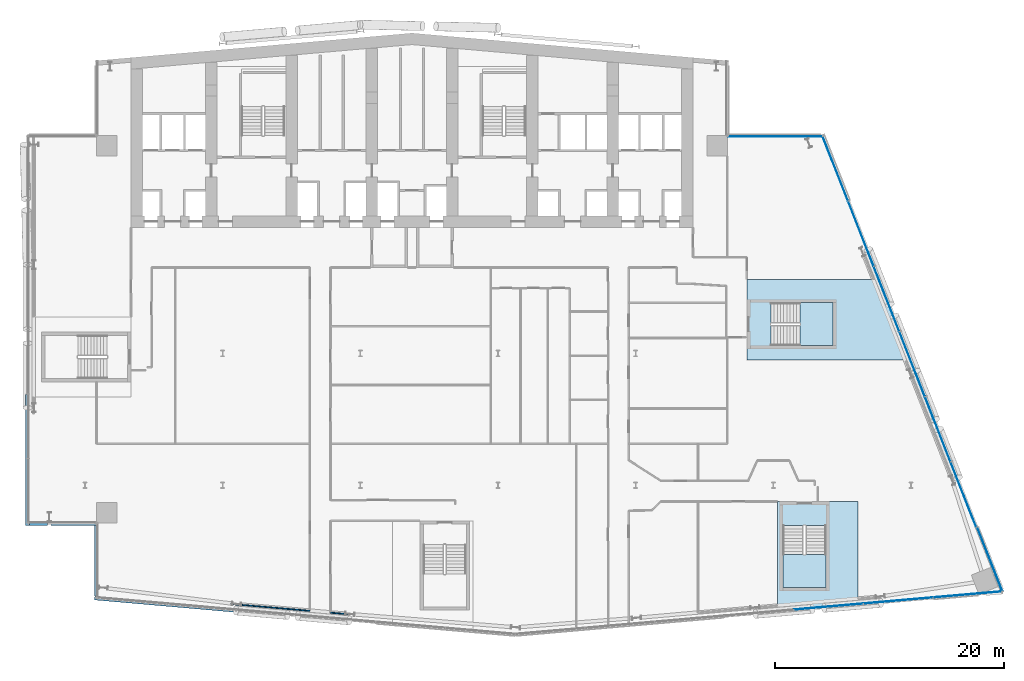
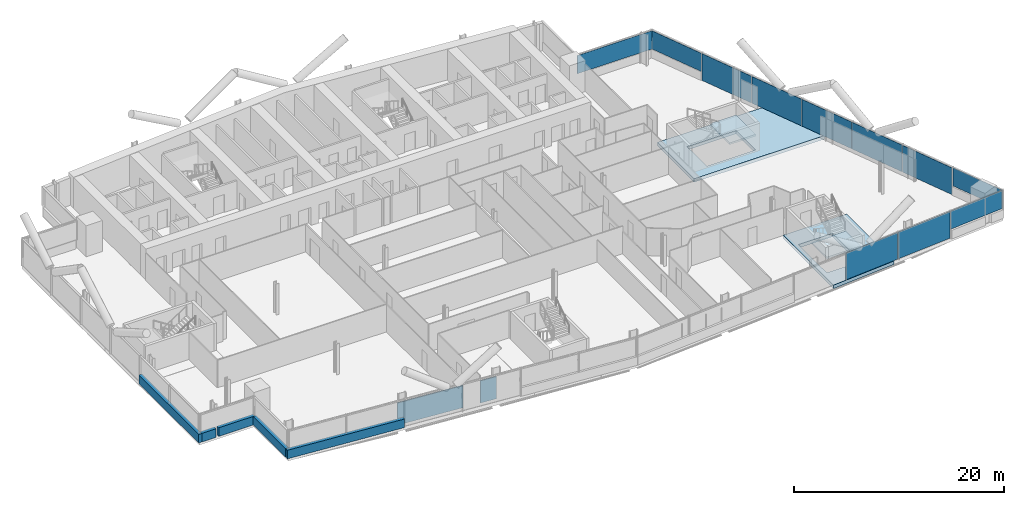
# One storey, part 13 of 27: 11 plates, 7 walls, 4 slabs, 5 elements without a shape of their own.
"""IFC4 building model written with IfcOpenShell, lengths in metres."""

from ifc_helpers import new_model, si_unit, direction, frame, frame_2d, origin, origin_2d, place, context, subcontext, project, spatial, polyline, rectangle, outline, extrude, material, layer, layer_set, type_object, element, aggregate, save


model = new_model("IFC4")

# Units and contexts
model_context = context("Model", 3, precision=1e-05, world=origin(), true_north=direction((0.0, 1.0)))
body_context = subcontext(model_context, "Body", "Model", "MODEL_VIEW")
ifc_project = project(units=[si_unit("LENGTHUNIT", "METRE"), si_unit("AREAUNIT", "SQUARE_METRE"), si_unit("VOLUMEUNIT", "CUBIC_METRE"), si_unit("PLANEANGLEUNIT", "RADIAN"), si_unit("MASSUNIT", "GRAM", prefix="KILO")], contexts=[model_context])

# Site, building, storey
site_placement = place(None, origin())
site = spatial("IfcSite", under=ifc_project, at=site_placement, CompositionType="ELEMENT")
building_placement = place(site_placement, origin())
building = spatial("IfcBuilding", under=site, at=building_placement, Name="Wharfspan Tower", CompositionType="ELEMENT")
storey_placement = place(building_placement, frame((0.0, 0.0, 118.300049)))
storey = spatial("IfcBuildingStorey", under=building, at=storey_placement, Name="L27", CompositionType="ELEMENT", Elevation=118.300049)

# Curtain wall, plate
ifc_material_1 = material(Name="Aluminium 6063-T6", Category="aluminium")
curtain_wall_type_1 = type_object("IfcCurtainWallType", Name="CURTAIN WALL FACETED FRONT", PredefinedType="NOTDEFINED", material=ifc_material_1)
curtain_wall_1_placement = place(storey_placement, origin())
curtain_wall_1 = element("IfcCurtainWall", 1, at=curtain_wall_1_placement, inside=storey, type_object=curtain_wall_type_1, Name="Curtain wall S2", PredefinedType="NOTDEFINED")
ifc_material_2 = material(Name="Glass clear low-iron double glazing", Category="glass")
ifc_layer_1 = layer(ifc_material_2, 0.040039)
ifc_layer_set_1 = layer_set([ifc_layer_1], Name="Glass clear low-iron double glazing")
plate_type_1 = type_object("IfcPlateType", Name="GLASS PANEL FACETED FRONT 40", PredefinedType="CURTAIN_PANEL", material=ifc_layer_set_1)
plate_1_placement = place(storey_placement, frame((88.944092, 1.99292, 1.0), z_axis=(0.0, 0.0, 1.0), x_axis=(0.996198, 0.087156, 0.0)))
plate_1 = element("IfcPlate", 2, at=plate_1_placement, type_object=plate_type_1, Name="Curtain wall S2 panel 7", PredefinedType="CURTAIN_PANEL", context=body_context, shape_type="SweptSolid", body=[
    extrude(rectangle(XDim=6.004639, YDim=0.040039, at=origin_2d()), origin(), (0.0, 0.0, 1.0), 2.120117),
])

# Curtain wall, plates
curtain_wall_type_2 = type_object("IfcCurtainWallType", Name="CURTAIN WALL PROW AND END", PredefinedType="NOTDEFINED", material=ifc_material_1)
curtain_wall_2_placement = place(storey_placement, origin())
curtain_wall_2 = element("IfcCurtainWall", 3, at=curtain_wall_2_placement, inside=storey, type_object=curtain_wall_type_2, Name="Curtain wall E", PredefinedType="NOTDEFINED")
ifc_layer_2 = layer(ifc_material_2, 0.040039)
ifc_layer_set_2 = layer_set([ifc_layer_2], Name="Glass clear low-iron double glazing")
plate_type_2 = type_object("IfcPlateType", Name="GLASS PANEL PROW AND END 40", PredefinedType="CURTAIN_PANEL", material=ifc_layer_set_2)
plate_2_placement = place(storey_placement, frame((90.877197, 5.056885, 1.0), z_axis=(0.0, 0.0, 1.0), x_axis=(-0.365778, 0.930702, 0.0)))
plate_2 = element("IfcPlate", 4, at=plate_2_placement, type_object=plate_type_2, Name="Curtain wall E panel 1", PredefinedType="CURTAIN_PANEL", context=body_context, shape_type="SweptSolid", body=[
    extrude(rectangle(XDim=6.019043, YDim=0.040039, at=origin_2d()), origin(), (0.0, 0.0, 1.0), 2.120117),
])
plate_3_placement = place(storey_placement, frame((77.406494, 39.114014, 1.0), z_axis=(0.0, 0.0, 1.0), x_axis=(-0.365778, 0.930702, 0.0)))
plate_3 = element("IfcPlate", 5, at=plate_3_placement, type_object=plate_type_2, Name="Curtain wall E panel 7", PredefinedType="CURTAIN_PANEL", context=body_context, shape_type="SweptSolid", body=[
    extrude(rectangle(XDim=6.019043, YDim=0.040039, at=origin_2d()), origin(), (0.0, 0.0, 1.0), 2.120117),
])

# Curtain wall, plate
curtain_wall_3_placement = place(storey_placement, origin())
curtain_wall_3 = element("IfcCurtainWall", 6, at=curtain_wall_3_placement, inside=storey, type_object=curtain_wall_type_2, Name="Curtain wall NRE-H", PredefinedType="NOTDEFINED")
plate_4_placement = place(storey_placement, frame((72.178955, 41.919922, 1.0), z_axis=(0.0, 0.0, 1.0), x_axis=(-1.0, 0.0, 0.0)))
plate_4 = element("IfcPlate", 7, at=plate_4_placement, type_object=plate_type_2, Name="Curtain wall NRE-H panel 1", PredefinedType="CURTAIN_PANEL", context=body_context, shape_type="SweptSolid", body=[
    extrude(rectangle(XDim=8.238037, YDim=0.040039, at=origin_2d()), origin(), (0.0, 0.0, 1.0), 2.120117),
])
aggregate(curtain_wall_3, [plate_4])

# Plate
ifc_material_3 = material(Name="Aluminium composite opaque insulated panel", Category="aluminium")
ifc_layer_3 = layer(ifc_material_3, 0.040039)
ifc_layer_set_3 = layer_set([ifc_layer_3], Name="Aluminium composite opaque insulated panel")
plate_type_3 = type_object("IfcPlateType", Name="INFILL PANEL FACETED FRONT OPAQUE 40", PredefinedType="SHEET", material=ifc_layer_set_3)
plate_5_placement = place(storey_placement, frame((76.816162, 0.931885, 0.0), z_axis=(0.0, 0.0, 1.0), x_axis=(0.996198, 0.087156, 0.0)))
plate_5 = element("IfcPlate", 8, at=plate_5_placement, type_object=plate_type_3, Name="Curtain wall S2 panel 5", PredefinedType="SHEET", context=body_context, shape_type="SweptSolid", body=[
    extrude(rectangle(XDim=6.034668, YDim=0.040039, at=origin_2d()), origin(), (0.0, 0.0, 1.0), 3.120117),
])

plate_6_placement = place(storey_placement, frame((82.887695, 1.462891, 0.0), z_axis=(0.0, 0.0, 1.0), x_axis=(0.996198, 0.087156, 0.0)))
plate_6 = element("IfcPlate", 9, at=plate_6_placement, type_object=plate_type_3, Name="Curtain wall S2 panel 6", PredefinedType="SHEET", context=body_context, shape_type="SweptSolid", body=[
    extrude(rectangle(XDim=6.034668, YDim=0.040039, at=origin_2d()), origin(), (0.0, 0.0, 1.0), 3.120117),
])

aggregate(curtain_wall_1, [plate_5, plate_6, plate_1])

ifc_layer_4 = layer(ifc_material_3, 0.040039)
ifc_layer_set_4 = layer_set([ifc_layer_4], Name="Aluminium composite opaque insulated panel")
plate_type_4 = type_object("IfcPlateType", Name="INFILL PANEL PROW AND END OPAQUE 40", PredefinedType="SHEET", material=ifc_layer_set_4)
plate_7_placement = place(storey_placement, frame((88.57373, 10.699219, 0.0), z_axis=(0.0, 0.0, 1.0), x_axis=(-0.365778, 0.930702, 0.0)))
plate_7 = element("IfcPlate", 10, at=plate_7_placement, type_object=plate_type_4, Name="Curtain wall E panel 2", PredefinedType="SHEET", context=body_context, shape_type="SweptSolid", body=[
    extrude(rectangle(XDim=6.049072, YDim=0.040039, at=origin_2d()), origin(), (0.0, 0.0, 1.0), 3.120117),
])

plate_8_placement = place(storey_placement, frame((86.339111, 16.38501, 0.0), z_axis=(0.0, 0.0, 1.0), x_axis=(-0.365778, 0.930702, 0.0)))
plate_8 = element("IfcPlate", 11, at=plate_8_placement, type_object=plate_type_4, Name="Curtain wall E panel 3", PredefinedType="SHEET", context=body_context, shape_type="SweptSolid", body=[
    extrude(rectangle(XDim=6.049072, YDim=0.040039, at=origin_2d()), origin(), (0.0, 0.0, 1.0), 3.120117),
])

plate_9_placement = place(storey_placement, frame((84.104492, 22.070801, 0.0), z_axis=(0.0, 0.0, 1.0), x_axis=(-0.365778, 0.930702, 0.0)))
plate_9 = element("IfcPlate", 12, at=plate_9_placement, type_object=plate_type_4, Name="Curtain wall E panel 4", PredefinedType="SHEET", context=body_context, shape_type="SweptSolid", body=[
    extrude(rectangle(XDim=6.049072, YDim=0.040039, at=origin_2d()), origin(), (0.0, 0.0, 1.0), 3.120117),
])

plate_10_placement = place(storey_placement, frame((81.870117, 27.756348, 0.0), z_axis=(0.0, 0.0, 1.0), x_axis=(-0.365778, 0.930702, 0.0)))
plate_10 = element("IfcPlate", 13, at=plate_10_placement, type_object=plate_type_4, Name="Curtain wall E panel 5", PredefinedType="SHEET", context=body_context, shape_type="SweptSolid", body=[
    extrude(rectangle(XDim=6.049072, YDim=0.040039, at=origin_2d()), origin(), (0.0, 0.0, 1.0), 3.120117),
])

plate_11_placement = place(storey_placement, frame((79.635498, 33.442139, 0.0), z_axis=(0.0, 0.0, 1.0), x_axis=(-0.365778, 0.930702, 0.0)))
plate_11 = element("IfcPlate", 14, at=plate_11_placement, type_object=plate_type_4, Name="Curtain wall E panel 6", PredefinedType="SHEET", context=body_context, shape_type="SweptSolid", body=[
    extrude(rectangle(XDim=6.049072, YDim=0.040039, at=origin_2d()), origin(), (0.0, 0.0, 1.0), 3.120117),
])

aggregate(curtain_wall_2, [plate_2, plate_7, plate_8, plate_9, plate_10, plate_11, plate_3])

# Slabs
ifc_material_4 = material(Name="Concrete C40/50", Category="concrete")
ifc_layer_5 = layer(ifc_material_4, 0.399902)
ifc_layer_set_5 = layer_set([ifc_layer_5], Name="Concrete C40/50")
slab_type_1 = type_object("IfcSlabType", Name="Post-tensioned flat slab 400", PredefinedType="FLOOR", material=ifc_layer_set_5)
slab_1_placement = place(storey_placement, frame((0.0, 0.0, -0.400146)))
element("IfcSlab", 15, at=slab_1_placement, inside=storey, type_object=slab_type_1, Name="Core floor slab L27 part 5", PredefinedType="FLOOR", context=body_context, shape_type="SweptSolid", body=[
    extrude(outline(polyline([(79.365967, 10.094727), (76.891113, 10.094727), (72.541016, 10.094727), (72.365967, 10.094727), (72.365967, 0.482178), (79.365967, 1.094727), (79.365967, 10.094727)]), holes=[polyline([(76.591064, 7.996582), (76.591309, 7.996582), (76.591309, 7.996582), (76.591553, 7.996582), (76.591797, 7.996582), (76.591797, 7.996338), (76.592041, 7.996338), (76.592285, 7.996094), (76.592285, 7.996094), (76.592529, 7.99585), (76.592773, 7.99585), (76.592773, 7.995605), (76.593018, 7.995361), (76.593018, 7.995117), (76.593018, 7.995117), (76.593018, 7.994873), (76.593018, 7.994629), (76.593018, 2.594727), (76.593018, 2.594482), (76.593018, 2.594238), (76.593018, 2.593994), (76.593018, 2.593994), (76.592773, 2.59375), (76.592773, 2.593506), (76.592529, 2.593506), (76.592285, 2.593262), (76.592285, 2.593018), (76.592041, 2.593018), (76.591797, 2.593018), (76.591797, 2.592773), (76.591553, 2.592773), (76.591309, 2.592773), (76.591309, 2.592773), (76.591064, 2.592773), (72.841064, 2.592773), (72.84082, 2.592773), (72.840576, 2.592773), (72.840332, 2.592773), (72.840088, 2.592773), (72.840088, 2.593018), (72.839844, 2.593018), (72.8396, 2.593018), (72.8396, 2.593262), (72.8396, 2.593506), (72.839355, 2.593506), (72.839111, 2.59375), (72.839111, 2.593994), (72.839111, 2.593994), (72.839111, 2.594238), (72.839111, 2.594482), (72.839111, 2.594727), (72.839111, 7.994629), (72.839111, 7.994873), (72.839111, 7.995117), (72.839111, 7.995117), (72.839111, 7.995361), (72.839111, 7.995605), (72.839355, 7.99585), (72.8396, 7.99585), (72.8396, 7.996094), (72.8396, 7.996094), (72.839844, 7.996338), (72.840088, 7.996338), (72.840088, 7.996582), (72.840332, 7.996582), (72.840576, 7.996582), (72.84082, 7.996582), (72.841064, 7.996582), (76.591064, 7.996582)])]), origin(), (0.0, 0.0, 1.0), 0.400146),
])
slab_2_placement = place(storey_placement, frame((0.0, 0.0, -0.400146)))
element("IfcSlab", 16, at=slab_2_placement, inside=storey, type_object=slab_type_1, Name="Core floor slab L27 part 6", PredefinedType="FLOOR", context=body_context, shape_type="SweptSolid", body=[
    extrude(outline(polyline([(81.290283, 29.449951), (69.69043, 29.449951), (69.69043, 27.725098), (69.69043, 23.375), (69.69043, 22.449951), (84.041504, 22.449951), (81.290283, 29.449951)]), holes=[polyline([(71.790283, 23.673096), (71.790283, 23.673096), (71.790039, 23.673096), (71.789795, 23.673096), (71.789551, 23.673096), (71.789551, 23.673096), (71.789307, 23.67334), (71.789062, 23.673584), (71.789062, 23.673584), (71.788818, 23.673584), (71.788818, 23.673828), (71.788574, 23.674072), (71.788574, 23.674316), (71.788574, 23.674316), (71.78833, 23.674561), (71.78833, 23.674805), (71.78833, 23.675049), (71.78833, 27.425049), (71.78833, 27.425293), (71.78833, 27.425293), (71.788574, 27.425537), (71.788574, 27.425781), (71.788574, 27.425781), (71.788818, 27.426025), (71.788818, 27.42627), (71.789062, 27.426514), (71.789062, 27.426514), (71.789307, 27.426758), (71.789551, 27.426758), (71.789551, 27.426758), (71.789795, 27.427002), (71.790039, 27.427002), (71.790283, 27.427002), (71.790283, 27.427002), (77.19043, 27.427002), (77.190674, 27.427002), (77.190918, 27.427002), (77.190918, 27.427002), (77.191162, 27.426758), (77.191406, 27.426758), (77.191406, 27.426758), (77.19165, 27.426514), (77.191895, 27.426514), (77.191895, 27.42627), (77.192139, 27.426025), (77.192139, 27.425781), (77.192139, 27.425781), (77.192383, 27.425537), (77.192383, 27.425293), (77.192383, 27.425293), (77.192383, 27.425049), (77.192383, 23.675049), (77.192383, 23.674805), (77.192383, 23.674561), (77.192383, 23.674316), (77.192139, 23.674316), (77.192139, 23.674072), (77.192139, 23.673828), (77.191895, 23.673584), (77.191895, 23.673584), (77.19165, 23.673584), (77.191406, 23.67334), (77.191406, 23.673096), (77.191162, 23.673096), (77.190918, 23.673096), (77.190918, 23.673096), (77.190674, 23.673096), (77.19043, 23.673096), (71.790283, 23.673096)])]), origin(), (0.0, 0.0, 1.0), 0.400146),
])

# Stair, slab
stair_type = type_object("IfcStairType", Name="Half-turn stair 20 risers 180 mm", PredefinedType="HALF_TURN_STAIR", material=ifc_material_4)
stair_1_placement = place(storey_placement, origin())
stair_1 = element("IfcStair", 17, at=stair_1_placement, inside=storey, type_object=stair_type, Name="L27 stair ST5", PredefinedType="HALF_TURN_STAIR")
ifc_layer_6 = layer(ifc_material_4, 0.199951)
ifc_layer_set_6 = layer_set([ifc_layer_6], Name="Concrete C40/50")
slab_type_2 = type_object("IfcSlabType", Name="Stair landing 200", PredefinedType="LANDING", material=ifc_layer_set_6)
slab_3_placement = place(storey_placement, frame((0.0, 0.0, 1.599854)))
slab_3 = element("IfcSlab", 18, at=slab_3_placement, type_object=slab_type_2, Name="ST5 landing 1", PredefinedType="LANDING", context=body_context, shape_type="SweptSolid", body=[
    extrude(outline(polyline([(72.841064, 5.474609), (72.841064, 2.594727), (76.591064, 2.594727), (76.591064, 5.474609), (72.841064, 5.474609)])), origin(), (0.0, 0.0, 1.0), 0.200195),
])
aggregate(stair_1, [slab_3])

stair_2_placement = place(storey_placement, origin())
stair_2 = element("IfcStair", 19, at=stair_2_placement, inside=storey, type_object=stair_type, Name="L27 stair ST6", PredefinedType="HALF_TURN_STAIR")
slab_4_placement = place(storey_placement, frame((0.0, 0.0, 1.599854)))
slab_4 = element("IfcSlab", 20, at=slab_4_placement, type_object=slab_type_2, Name="ST6 landing 1", PredefinedType="LANDING", context=body_context, shape_type="SweptSolid", body=[
    extrude(outline(polyline([(74.310303, 23.675049), (77.19043, 23.675049), (77.19043, 27.425049), (74.310303, 27.425049), (74.310303, 23.675049)])), origin(), (0.0, 0.0, 1.0), 0.200195),
])
aggregate(stair_2, [slab_4])

# Walls
ifc_material_5 = material(Name="Gypsum board on steel studs", Category="steel")
ifc_layer_7 = layer(ifc_material_5, 0.100098)
ifc_layer_set_7 = layer_set([ifc_layer_7], Name="Gypsum board on steel studs")
wall_type_1 = type_object("IfcWallType", Name="Compartment wall 100 EI 60", PredefinedType="PARTITIONING", material=ifc_layer_set_7)
wall_1_placement = place(storey_placement, frame((31.600098, 0.560059, 0.0), z_axis=(0.0, 0.0, 1.0), x_axis=(-0.996229, 0.086796, 0.0)))
element("IfcWall", 21, at=wall_1_placement, inside=storey, type_object=wall_type_1, Name="Partition L27.w012", PredefinedType="PARTITIONING", context=body_context, shape_type="SweptSolid", body=[
    extrude(rectangle(XDim=6.911133, YDim=0.100098, at=frame_2d((3.455566, 0.0))), origin(), (0.0, 0.0, 1.0), 2.579834),
])
wall_2_placement = place(storey_placement, frame((35.084961, 0.254883, 0.0), z_axis=(0.0, 0.0, 1.0), x_axis=(-0.996316, 0.085745, 0.0)))
element("IfcWall", 22, at=wall_2_placement, inside=storey, type_object=wall_type_1, Name="Partition L27.w021", PredefinedType="PARTITIONING", context=body_context, shape_type="SweptSolid", body=[
    extrude(rectangle(XDim=1.691406, YDim=0.100098, at=frame_2d((0.845703, 0.0))), origin(), (0.0, 0.0, 1.0), 2.579834),
])
ifc_layer_8 = layer(ifc_material_4, 0.350098)
ifc_layer_set_8 = layer_set([ifc_layer_8], Name="Concrete C40/50")
wall_type_2 = type_object("IfcWallType", Name="SPANDREL EXPOSED CONCRETE 350", PredefinedType="SOLIDWALL", material=ifc_layer_set_8)
wall_3_placement = place(storey_placement, frame((12.835205, 1.68457, 0.0), z_axis=(0.0, 0.0, 1.0), x_axis=(0.996192, -0.087173, 0.0)))
element("IfcWall", 23, at=wall_3_placement, inside=storey, type_object=wall_type_2, Name="Spandrel upstand L27 S1 1", PredefinedType="SOLIDWALL", context=body_context, shape_type="SweptSolid", body=[
    extrude(rectangle(XDim=12.348145, YDim=0.350098, at=frame_2d((6.174072, 0.0))), origin(), (0.0, 0.0, 1.0), 1.0),
])
wall_4_placement = place(storey_placement, frame((6.995117, 19.436768, 0.0), z_axis=(0.0, 0.0, 1.0), x_axis=(0.0, -1.0, 0.0)))
element("IfcWall", 24, at=wall_4_placement, inside=storey, type_object=wall_type_2, Name="Spandrel upstand L27 W", PredefinedType="SOLIDWALL", context=body_context, shape_type="SweptSolid", body=[
    extrude(rectangle(XDim=11.416748, YDim=0.350098, at=frame_2d((5.708496, 0.0))), origin(), (0.0, 0.0, 1.0), 1.0),
])
wall_5_placement = place(storey_placement, frame((7.169922, 8.195068, 0.0), z_axis=(0.0, 0.0, 1.0), x_axis=(1.0, 0.0, 0.0)))
element("IfcWall", 25, at=wall_5_placement, inside=storey, type_object=wall_type_2, Name="Spandrel upstand L27 NFW-H", PredefinedType="SOLIDWALL", context=body_context, shape_type="SweptSolid", body=[
    extrude(rectangle(XDim=1.563232, YDim=0.350098, at=frame_2d((0.781738, 0.0))), origin(), (0.0, 0.0, 1.0), 1.0),
])
wall_6_placement = place(storey_placement, frame((9.036133, 8.195068, 0.0), z_axis=(0.0, 0.0, 1.0), x_axis=(1.0, 0.0, 0.0)))
element("IfcWall", 26, at=wall_6_placement, inside=storey, type_object=wall_type_2, Name="Spandrel upstand L27 NFW-H 2", PredefinedType="SOLIDWALL", context=body_context, shape_type="SweptSolid", body=[
    extrude(rectangle(XDim=3.963867, YDim=0.350098, at=frame_2d((1.981934, 0.0))), origin(), (0.0, 0.0, 1.0), 1.0),
])
wall_7_placement = place(storey_placement, frame((12.995117, 8.02002, 0.0), z_axis=(0.0, 0.0, 1.0), x_axis=(0.0, -1.0, 0.0)))
element("IfcWall", 27, at=wall_7_placement, inside=storey, type_object=wall_type_2, Name="Spandrel upstand L27 NFW-V", PredefinedType="SOLIDWALL", context=body_context, shape_type="SweptSolid", body=[
    extrude(rectangle(XDim=6.161133, YDim=0.350098, at=frame_2d((3.080566, 0.0))), origin(), (0.0, 0.0, 1.0), 1.0),
])

save(model, "model.ifc")
